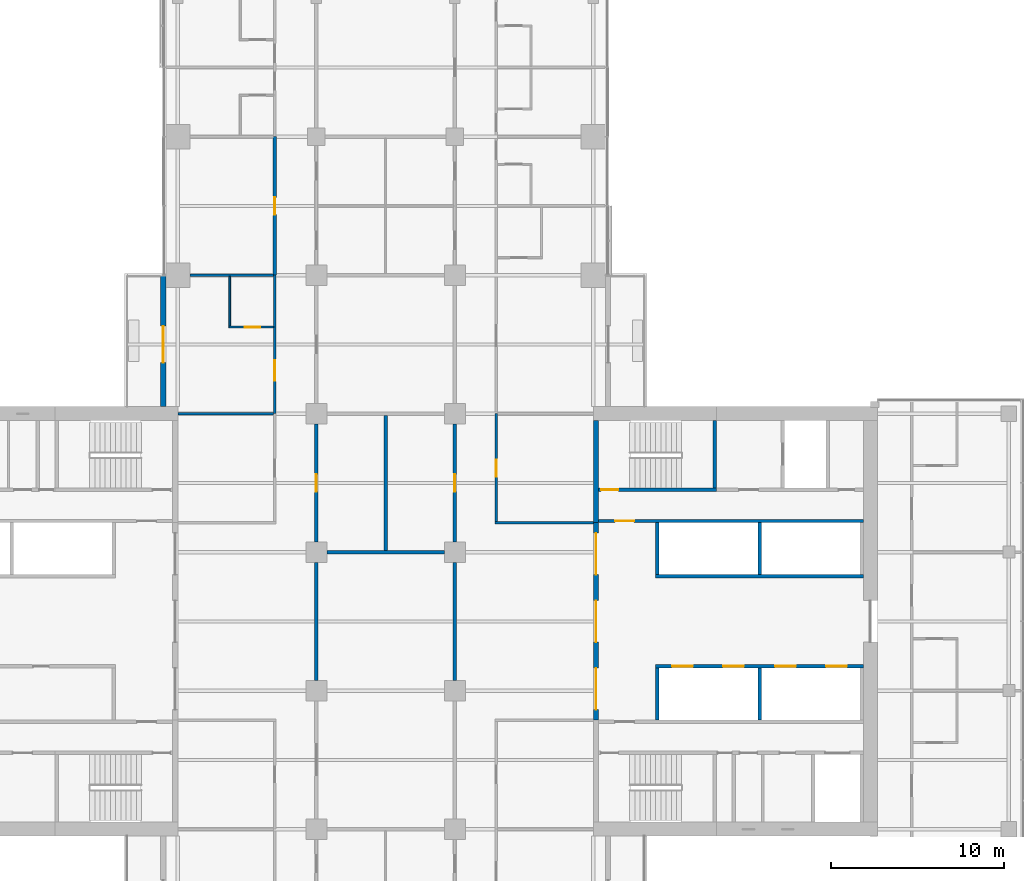
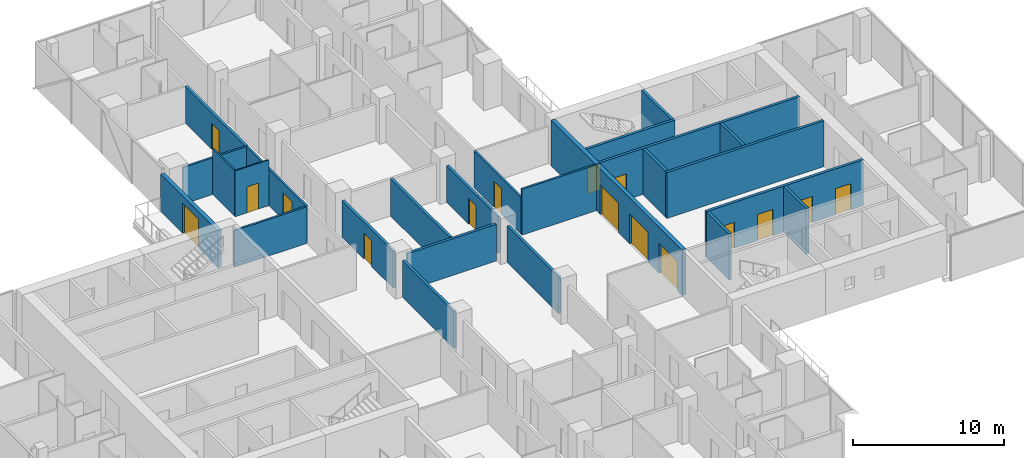
# One storey, part 19 of 27: 26 walls, 16 doors, 16 openings.
"""IFC4 building model written with IfcOpenShell, lengths in metres."""

import ifcopenshell
import ifcopenshell.guid

model = None  # the IFC model being written
_history = None  # IfcOwnerHistory: only IFC2X3 demands one
_inside = {}  # id of a spatial element -> (the spatial element, [elements in it])
_under = {}  # id of a project, library or spatial element -> (it, [spatial elements below it])
_declared = {}  # id of a project -> (the project, [libraries it declares])
_typed = {}  # id of a type object -> (the type object, [elements of that type])
_made_of = {}  # id of a material, layer set ... -> (it, [elements and type objects made of it])


def new_model(schema):
    """Start an empty IFC model of exactly this schema.

    Asked for "IFC4X3", IfcOpenShell would pick the latest addendum, in which some entities
    have other attributes; the version numbers below select the first issue.
    IFC2X3 requires an IfcOwnerHistory on every rooted entity: one is made here for all.
    """
    global model, _history
    if schema == "IFC4X3":
        model = ifcopenshell.file(schema_version=(4, 3, 0, 0))
    else:
        model = ifcopenshell.file(schema=schema)
    _inside.clear()
    _under.clear()
    _declared.clear()
    _typed.clear()
    _made_of.clear()
    _history = None
    if model.schema == "IFC2X3":
        org = make("IfcOrganization", Name="unknown")
        user = make(
            "IfcPersonAndOrganization",
            ThePerson=make("IfcPerson", FamilyName="unknown"),
            TheOrganization=org,
        )
        app = make(
            "IfcApplication",
            ApplicationDeveloper=org,
            Version="unknown",
            ApplicationFullName="unknown",
            ApplicationIdentifier="unknown",
        )
        _history = make(
            "IfcOwnerHistory",
            OwningUser=user,
            OwningApplication=app,
            ChangeAction="ADDED",
            CreationDate=0,
        )
    return model


def make(cls, **values):
    """One entity of the class cls with the attributes given. An attribute that is None is left unset."""
    return model.create_entity(
        cls, **{name: value for name, value in values.items() if value is not None}
    )


def rooted(cls, **values):
    """An entity with a GlobalId (a new one), such as an element, a storey or a relation."""
    return make(cls, GlobalId=ifcopenshell.guid.new(), OwnerHistory=_history, **values)


def si_unit(unit_type, name, prefix=None):
    """IfcSIUnit, for example si_unit("LENGTHUNIT", "METRE", prefix="MILLI")."""
    return make("IfcSIUnit", UnitType=unit_type, Prefix=prefix, Name=name)


def assignment(units):
    """IfcUnitAssignment: the units of a project."""
    return None if units is None else make("IfcUnitAssignment", Units=units)


def point(xyz):
    """IfcCartesianPoint."""
    return None if xyz is None else make("IfcCartesianPoint", Coordinates=xyz)


def direction(xyz):
    """IfcDirection."""
    return None if xyz is None else make("IfcDirection", DirectionRatios=xyz)


def frame(location, z_axis=None, x_axis=None):
    """IfcAxis2Placement3D, a coordinate frame: its origin and axes. An axis left out is left unset."""
    return make(
        "IfcAxis2Placement3D",
        Location=point(location),
        Axis=direction(z_axis),
        RefDirection=direction(x_axis),
    )


def frame_2d(location, x_axis=None):
    """IfcAxis2Placement2D, a coordinate frame in the plane: its origin and x axis."""
    return make(
        "IfcAxis2Placement2D", Location=point(location), RefDirection=direction(x_axis)
    )


def origin():
    """The frame at (0, 0, 0) with its axes left unset."""
    return frame((0.0, 0.0, 0.0))


def place(relative_to, where):
    """IfcLocalPlacement: puts the frame where relative to a parent placement (None: the world)."""
    return make(
        "IfcLocalPlacement", PlacementRelTo=relative_to, RelativePlacement=where
    )


def context(
    kind, dimensions, precision=None, world=None, true_north=None, identifier=None
):
    """IfcGeometricRepresentationContext, for example the 3D "Model" context."""
    return make(
        "IfcGeometricRepresentationContext",
        ContextIdentifier=identifier,
        ContextType=kind,
        CoordinateSpaceDimension=dimensions,
        Precision=precision,
        WorldCoordinateSystem=world,
        TrueNorth=true_north,
    )


def subcontext(parent, identifier, kind, view, scale=None):
    """IfcGeometricRepresentationSubContext, for example "Body" below "Model"."""
    return make(
        "IfcGeometricRepresentationSubContext",
        ContextIdentifier=identifier,
        ContextType=kind,
        ParentContext=parent,
        TargetScale=scale,
        TargetView=view,
    )


def project(units=None, contexts=None):
    """IfcProject with its units and contexts."""
    return rooted(
        "IfcProject",
        Name="project",
        RepresentationContexts=contexts,
        UnitsInContext=assignment(units),
    )


def spatial(cls, under=None, at=None, **own):
    """A site, building, storey or space (cls), placed at a placement, below another one or the project."""
    s = rooted(cls, ObjectPlacement=at, **own)
    if under is not None:
        _under.setdefault(under.id(), (under, []))[1].append(s)
    return s


def profile(cls, at=None, kind="AREA", **sizes):
    """A parametric profile (cls). Its sizes go by their IFC names, for example OverallWidth=200.0."""
    return make(cls, ProfileType=kind, Position=at, **sizes)


def rectangle(**sizes):
    """IfcRectangleProfileDef."""
    return profile("IfcRectangleProfileDef", **sizes)


def extrude(swept, where, along, depth):
    """IfcExtrudedAreaSolid: the profile swept, set in the frame where, extruded along a direction by depth."""
    return make(
        "IfcExtrudedAreaSolid",
        SweptArea=swept,
        Position=where,
        ExtrudedDirection=direction(along),
        Depth=depth,
    )


def shape(context_of_items, identifier, shape_type, items):
    """IfcShapeRepresentation: the items that make up one representation, for example the "Body"."""
    return make(
        "IfcShapeRepresentation",
        ContextOfItems=context_of_items,
        RepresentationIdentifier=identifier,
        RepresentationType=shape_type,
        Items=items,
    )


def material(Name=None, Category=None):
    """IfcMaterial."""
    return make("IfcMaterial", Name=Name, Category=Category)


def layer(
    of_material, thickness, ventilated=None, Name=None, Category=None, Priority=None
):
    """IfcMaterialLayer: one layer of a wall or slab, of a material (None: an air gap)."""
    return make(
        "IfcMaterialLayer",
        Material=of_material,
        LayerThickness=thickness,
        IsVentilated=ventilated,
        Name=Name,
        Category=Category,
        Priority=Priority,
    )


def layer_set(layers, Name=None):
    """IfcMaterialLayerSet."""
    return make("IfcMaterialLayerSet", MaterialLayers=layers, LayerSetName=Name)


def made_of(thing, what):
    """Note that an element or type object is made of a material, layer set ...; save() writes the relation."""
    if what is not None:
        _made_of.setdefault(what.id(), (what, []))[1].append(thing)
    return thing


def type_object(cls, material=None, **own):
    """A type object (cls), such as IfcWallType, which elements share."""
    return made_of(rooted(cls, **own), material)


def element(
    cls,
    number,
    at=None,
    inside=None,
    cuts=None,
    type_object=None,
    material=None,
    context=None,
    identifier="Body",
    shape_type=None,
    held_by="IfcProductDefinitionShape",
    body=None,
    shapes=None,
    **own,
):
    """One element of the class cls, such as IfcWall. Its Tag is "e" and its number.

    at: its placement. inside: the storey or other place that contains it. cuts: it is an
    opening in that element (IfcRelVoidsElement). A single representation is given by context,
    identifier, shape_type and body (its items); several are given by shapes. held_by: the class
    of the entity that holds the representations. save() writes the other relations.
    """
    e = rooted(cls, Tag="e%d" % number, ObjectPlacement=at, **own)
    if body is not None:
        shapes = [shape(context, identifier, shape_type, body)]
    if shapes is not None:
        e.Representation = make(held_by, Representations=shapes)
    if inside is not None:
        _inside.setdefault(inside.id(), (inside, []))[1].append(e)
    if cuts is not None:
        rooted(
            "IfcRelVoidsElement", RelatingBuildingElement=cuts, RelatedOpeningElement=e
        )
    if type_object is not None:
        _typed.setdefault(type_object.id(), (type_object, []))[1].append(e)
    return made_of(e, material)


def fill(opening, filler):
    """IfcRelFillsElement: the door or window that sits in an opening."""
    return rooted(
        "IfcRelFillsElement",
        RelatingOpeningElement=opening,
        RelatedBuildingElement=filler,
    )


def aggregate(whole, parts):
    """IfcRelAggregates: a whole, such as a stair, and the parts it consists of."""
    return rooted("IfcRelAggregates", RelatingObject=whole, RelatedObjects=parts)


def save(model, path):
    """Write the relations noted so far, then the file.

    IfcRelAggregates (storeys below a building ...), IfcRelContainedInSpatialStructure (elements
    in a storey), IfcRelDefinesByType, IfcRelAssociatesMaterial and IfcRelDeclares: one each for
    every whole, place, type object, material and project.
    """
    for whole, parts in _under.values():
        aggregate(whole, parts)
    for where, things in _inside.values():
        rooted(
            "IfcRelContainedInSpatialStructure",
            RelatedElements=things,
            RelatingStructure=where,
        )
    for kind, things in _typed.values():
        rooted("IfcRelDefinesByType", RelatedObjects=things, RelatingType=kind)
    for what, things in _made_of.values():
        rooted("IfcRelAssociatesMaterial", RelatedObjects=things, RelatingMaterial=what)
    for by, libraries in _declared.values():
        rooted("IfcRelDeclares", RelatingContext=by, RelatedDefinitions=libraries)
    model.write(path)


model = new_model("IFC4")

# Units and contexts
model_context = context("Model", 3, precision=1e-05, world=origin(), true_north=direction((0.0, 1.0)))
body_context = subcontext(model_context, "Body", "Model", "MODEL_VIEW")
ifc_project = project(units=[si_unit("LENGTHUNIT", "METRE"), si_unit("AREAUNIT", "SQUARE_METRE"), si_unit("VOLUMEUNIT", "CUBIC_METRE"), si_unit("PLANEANGLEUNIT", "RADIAN"), si_unit("MASSUNIT", "GRAM", prefix="KILO")], contexts=[model_context])

# Site, building, storey
site_placement = place(None, origin())
site = spatial("IfcSite", under=ifc_project, at=site_placement, CompositionType="ELEMENT")
building_placement = place(site_placement, origin())
building = spatial("IfcBuilding", under=site, at=building_placement, Name="Crosswind Convention Tower", CompositionType="ELEMENT")
storey_placement = place(building_placement, frame((0.0, 0.0, 75.699951171875)))
storey = spatial("IfcBuildingStorey", under=building, at=storey_placement, Name="L13", CompositionType="ELEMENT", Elevation=75.699951171875)

# Wall
ifc_material_1 = material(Name="Plasterboard partition", Category="gypsum")
ifc_layer_1 = layer(ifc_material_1, 0.14990234375)
ifc_layer_set_1 = layer_set([ifc_layer_1], Name="CORRIDOR WALL 150")
wall_type_1 = type_object("IfcWallType", Name="CORRIDOR WALL 150", PredefinedType="PARTITIONING", material=ifc_layer_set_1)
wall_1_placement = place(storey_placement, frame((131.324951171875, 105.699951171875, 0.0), z_axis=(0.0, 0.0, 1.0), x_axis=(1.0, 0.0, 0.0)))
element("IfcWall", 1, at=wall_1_placement, inside=storey, type_object=wall_type_1, Name="Corridor Wall 40", PredefinedType="PARTITIONING", context=body_context, shape_type="SweptSolid", body=[
    extrude(rectangle(XDim=5.675048828125, YDim=0.14990234375, at=frame_2d((2.83740234375, 0.0))), origin(), (0.0, 0.0, 1.0), 3.699951171875),
])

# Wall, opening, door
wall_2_placement = place(storey_placement, frame((131.39990234375, 105.77490234375, 0.0), z_axis=(0.0, 0.0, 1.0), x_axis=(0.0, 1.0, 0.0)))
wall_2 = element("IfcWall", 2, at=wall_2_placement, inside=storey, type_object=wall_type_1, Name="Corridor Wall 111", PredefinedType="PARTITIONING", context=body_context, shape_type="SweptSolid", body=[
    extrude(rectangle(XDim=6.22509765625, YDim=0.14990234375, at=frame_2d((3.112548828125, 0.0))), origin(), (0.0, 0.0, 1.0), 2.95654296875),
])
opening_1_placement = place(wall_2_placement, frame((2.574951171875, 0.0, 0.0)))
opening_1 = element("IfcOpeningElement", 3, at=opening_1_placement, cuts=wall_2, Name="Opening 13.001", PredefinedType="OPENING", context=body_context, shape_type="SweptSolid", body=[
    extrude(rectangle(XDim=1.0, YDim=2.10009765625, at=frame_2d((0.5, 1.050048828125))), frame((0.0, 0.0849609375, 0.0), z_axis=(0.0, -1.0, 0.0), x_axis=(1.0, 0.0, 0.0)), (0.0, 0.0, 1.0), 0.169921875),
])
ifc_material_2 = material(Name="Timber fire door", Category="wood")
door_type_1 = type_object("IfcDoorType", Name="SERVICE ROOM DOOR 1000X2100", OperationType="NOTDEFINED", PredefinedType="DOOR", material=ifc_material_2)
door_1_placement = place(opening_1_placement, frame((1.0, 0.0, 0.0), z_axis=(0.0, 0.0, 1.0), x_axis=(-1.0, 0.0, 0.0)))
door_1 = element("IfcDoor", 4, at=door_1_placement, inside=storey, type_object=door_type_1, Name="Door 13.001", ObjectType="D3", OperationType="SINGLE_SWING_LEFT", OverallHeight=2.10009765625, OverallWidth=1.0, PredefinedType="DOOR", context=body_context, shape_type="SweptSolid", body=[
    extrude(rectangle(XDim=1.0, YDim=2.10009765625, at=frame_2d((0.5, 1.050048828125))), frame((0.0, 0.02490234375, 0.0), z_axis=(0.0, -1.0, 0.0), x_axis=(1.0, 0.0, 0.0)), (0.0, 0.0, 1.0), 0.050048828125),
])
fill(opening_1, door_1)

# Wall, openings, doors
ifc_material_3 = material(Name="Concrete C50/60", Category="concrete")
ifc_layer_2 = layer(ifc_material_3, 0.300048828125)
ifc_layer_set_2 = layer_set([ifc_layer_2], Name="Concrete C50/60")
wall_type_2 = type_object("IfcWallType", Name="Concrete inner core wall 300", PredefinedType="SHEAR", material=ifc_layer_set_2)
wall_3_placement = place(storey_placement, frame((137.14990234375, 94.300048828125, 0.0), z_axis=(0.0, 0.0, 1.0), x_axis=(0.0, 1.0, 0.0)))
wall_3 = element("IfcWall", 5, at=wall_3_placement, inside=storey, type_object=wall_type_2, Name="Wall SCR E L13", PredefinedType="SHEAR", context=body_context, shape_type="SweptSolid", body=[
    extrude(rectangle(XDim=11.39990234375, YDim=0.300048828125, at=frame_2d((5.699951171875, 0.0))), origin(), (0.0, 0.0, 1.0), 3.699951171875),
])
opening_2_placement = place(wall_3_placement, frame((0.60009765625, 0.0, 0.0)))
opening_2 = element("IfcOpeningElement", 6, at=opening_2_placement, cuts=wall_3, Name="Opening D100", PredefinedType="OPENING", context=body_context, shape_type="SweptSolid", body=[
    extrude(rectangle(XDim=2.39990234375, YDim=2.39990234375, at=frame_2d((1.199951171875, 1.199951171875))), frame((0.0, 0.159912109375, 0.0), z_axis=(0.0, -1.0, 0.0), x_axis=(1.0, 0.0, 0.0)), (0.0, 0.0, 1.0), 0.320068359375),
])
opening_3_placement = place(wall_3_placement, frame((4.5, 0.0, 0.0)))
opening_3 = element("IfcOpeningElement", 7, at=opening_3_placement, cuts=wall_3, Name="Opening D100", PredefinedType="OPENING", context=body_context, shape_type="SweptSolid", body=[
    extrude(rectangle(XDim=2.39990234375, YDim=2.39990234375, at=frame_2d((1.199951171875, 1.199951171875))), frame((0.0, 0.159912109375, 0.0), z_axis=(0.0, -1.0, 0.0), x_axis=(1.0, 0.0, 0.0)), (0.0, 0.0, 1.0), 0.320068359375),
])
opening_4_placement = place(wall_3_placement, frame((8.39990234375, 0.0, 0.0)))
opening_4 = element("IfcOpeningElement", 8, at=opening_4_placement, cuts=wall_3, Name="Opening D100", PredefinedType="OPENING", context=body_context, shape_type="SweptSolid", body=[
    extrude(rectangle(XDim=2.39990234375, YDim=2.39990234375, at=frame_2d((1.199951171875, 1.199951171875))), frame((0.0, 0.159912109375, 0.0), z_axis=(0.0, -1.0, 0.0), x_axis=(1.0, 0.0, 0.0)), (0.0, 0.0, 1.0), 0.320068359375),
])
ifc_material_4 = material(Name="Steel fire door with glazed vision panels", Category="steel")
door_type_2 = type_object("IfcDoorType", Name="Fire-rated double door 2400x2400", OperationType="DOUBLE_DOOR_SINGLE_SWING", PredefinedType="DOOR", material=ifc_material_4)
door_2_placement = place(opening_2_placement, origin())
door_2 = element("IfcDoor", 9, at=door_2_placement, inside=storey, type_object=door_type_2, Name="Lobby door 1 L13", ObjectType="D100", OperationType="DOUBLE_DOOR_SINGLE_SWING", OverallHeight=2.39990234375, OverallWidth=2.39990234375, PredefinedType="DOOR", context=body_context, shape_type="SweptSolid", body=[
    extrude(rectangle(XDim=2.39990234375, YDim=2.39990234375, at=frame_2d((1.199951171875, 1.199951171875))), frame((0.0, 0.02490234375, 0.0), z_axis=(0.0, -1.0, 0.0), x_axis=(1.0, 0.0, 0.0)), (0.0, 0.0, 1.0), 0.050048828125),
])
fill(opening_2, door_2)
door_3_placement = place(opening_3_placement, origin())
door_3 = element("IfcDoor", 10, at=door_3_placement, inside=storey, type_object=door_type_2, Name="Lobby door 2 L13", ObjectType="D100", OperationType="DOUBLE_DOOR_SINGLE_SWING", OverallHeight=2.39990234375, OverallWidth=2.39990234375, PredefinedType="DOOR", context=body_context, shape_type="SweptSolid", body=[
    extrude(rectangle(XDim=2.39990234375, YDim=2.39990234375, at=frame_2d((1.199951171875, 1.199951171875))), frame((0.0, 0.02490234375, 0.0), z_axis=(0.0, -1.0, 0.0), x_axis=(1.0, 0.0, 0.0)), (0.0, 0.0, 1.0), 0.050048828125),
])
fill(opening_3, door_3)
door_4_placement = place(opening_4_placement, origin())
door_4 = element("IfcDoor", 11, at=door_4_placement, inside=storey, type_object=door_type_2, Name="Lobby door 3 L13", ObjectType="D100", OperationType="DOUBLE_DOOR_SINGLE_SWING", OverallHeight=2.39990234375, OverallWidth=2.39990234375, PredefinedType="DOOR", context=body_context, shape_type="SweptSolid", body=[
    extrude(rectangle(XDim=2.39990234375, YDim=2.39990234375, at=frame_2d((1.199951171875, 1.199951171875))), frame((0.0, 0.02490234375, 0.0), z_axis=(0.0, -1.0, 0.0), x_axis=(1.0, 0.0, 0.0)), (0.0, 0.0, 1.0), 0.050048828125),
])
fill(opening_4, door_4)

# Walls
wall_4_placement = place(storey_placement, frame((137.14990234375, 105.699951171875, 0.0), z_axis=(0.0, 0.0, 1.0), x_axis=(0.0, 1.0, 0.0)))
element("IfcWall", 12, at=wall_4_placement, inside=storey, type_object=wall_type_2, Name="Wall EP E L13", PredefinedType="SHEAR", context=body_context, shape_type="SweptSolid", body=[
    extrude(rectangle(XDim=5.900146484375, YDim=0.300048828125, at=frame_2d((2.9501953125, 0.0))), origin(), (0.0, 0.0, 1.0), 3.699951171875),
])
ifc_layer_3 = layer(ifc_material_3, 0.199951171875)
ifc_layer_set_3 = layer_set([ifc_layer_3], Name="Concrete C50/60")
wall_type_3 = type_object("IfcWallType", Name="Concrete shaft and stair wall 200", PredefinedType="SHEAR", material=ifc_layer_set_3)
for number, where, z_axis, x_axis, name in (
    (13, (140.699951171875, 102.699951171875, 0.0), (0.0, 0.0, 1.0), (0.0, 1.0, 0.0), "Wall RPEND E L13"),
    (14, (146.60009765625, 102.699951171875, 0.0), (0.0, 0.0, 1.0), (0.0, 1.0, 0.0), "Wall RPSEP E L13"),
):
    element("IfcWall", number, at=place(storey_placement, frame(where, z_axis=z_axis, x_axis=x_axis)), inside=storey, type_object=wall_type_3, Name=name, PredefinedType="SHEAR", context=body_context, shape_type="SweptSolid", body=[
        extrude(rectangle(XDim=3.0, YDim=0.199951171875, at=frame_2d((1.5, 0.0))), origin(), (0.0, 0.0, 1.0), 3.699951171875),
    ])
wall_5_placement = place(storey_placement, frame((140.60009765625, 102.60009765625, 0.0), z_axis=(0.0, 0.0, 1.0), x_axis=(1.0, 0.0, 0.0)))
element("IfcWall", 15, at=wall_5_placement, inside=storey, type_object=wall_type_3, Name="Wall RPFRONT E L13", PredefinedType="SHEAR", context=body_context, shape_type="SweptSolid", body=[
    extrude(rectangle(XDim=12.0, YDim=0.199951171875, at=frame_2d((6.0, 0.0))), origin(), (0.0, 0.0, 1.0), 3.699951171875),
])
for number, where, z_axis, x_axis, name in (
    (16, (140.699951171875, 94.300048828125, 0.0), (0.0, 0.0, 1.0), (0.0, 1.0, 0.0), "Wall RMEND E L13"),
    (17, (146.60009765625, 94.300048828125, 0.0), (0.0, 0.0, 1.0), (0.0, 1.0, 0.0), "Wall RMSEP E L13"),
):
    element("IfcWall", number, at=place(storey_placement, frame(where, z_axis=z_axis, x_axis=x_axis)), inside=storey, type_object=wall_type_3, Name=name, PredefinedType="SHEAR", context=body_context, shape_type="SweptSolid", body=[
        extrude(rectangle(XDim=3.0, YDim=0.199951171875, at=frame_2d((1.5, 0.0))), origin(), (0.0, 0.0, 1.0), 3.699951171875),
    ])

# Wall, openings, doors
wall_6_placement = place(storey_placement, frame((140.60009765625, 97.39990234375, 0.0), z_axis=(0.0, 0.0, 1.0), x_axis=(1.0, 0.0, 0.0)))
wall_6 = element("IfcWall", 18, at=wall_6_placement, inside=storey, type_object=wall_type_3, Name="Wall RMFRONT E L13", PredefinedType="SHEAR", context=body_context, shape_type="SweptSolid", body=[
    extrude(rectangle(XDim=12.0, YDim=0.199951171875, at=frame_2d((6.0, 0.0))), origin(), (0.0, 0.0, 1.0), 3.699951171875),
])
opening_5_placement = place(wall_6_placement, frame((0.949951171875, 0.0, 0.0)))
opening_5 = element("IfcOpeningElement", 19, at=opening_5_placement, cuts=wall_6, Name="Opening LD1", PredefinedType="OPENING", context=body_context, shape_type="SweptSolid", body=[
    extrude(rectangle(XDim=1.199951171875, YDim=2.10009765625, at=frame_2d((0.60009765625, 1.050048828125))), frame((0.0, 0.10986328125, 0.0), z_axis=(0.0, -1.0, 0.0), x_axis=(1.0, 0.0, 0.0)), (0.0, 0.0, 1.0), 0.219970703125),
])
opening_6_placement = place(wall_6_placement, frame((3.89990234375, 0.0, 0.0)))
opening_6 = element("IfcOpeningElement", 20, at=opening_6_placement, cuts=wall_6, Name="Opening LD1", PredefinedType="OPENING", context=body_context, shape_type="SweptSolid", body=[
    extrude(rectangle(XDim=1.199951171875, YDim=2.10009765625, at=frame_2d((0.60009765625, 1.050048828125))), frame((0.0, 0.10986328125, 0.0), z_axis=(0.0, -1.0, 0.0), x_axis=(1.0, 0.0, 0.0)), (0.0, 0.0, 1.0), 0.219970703125),
])
opening_7_placement = place(wall_6_placement, frame((6.89990234375, 0.0, 0.0)))
opening_7 = element("IfcOpeningElement", 21, at=opening_7_placement, cuts=wall_6, Name="Opening LD1", PredefinedType="OPENING", context=body_context, shape_type="SweptSolid", body=[
    extrude(rectangle(XDim=1.199951171875, YDim=2.10009765625, at=frame_2d((0.60009765625, 1.050048828125))), frame((0.0, 0.10986328125, 0.0), z_axis=(0.0, -1.0, 0.0), x_axis=(1.0, 0.0, 0.0)), (0.0, 0.0, 1.0), 0.219970703125),
])
opening_8_placement = place(wall_6_placement, frame((9.85009765625, 0.0, 0.0)))
opening_8 = element("IfcOpeningElement", 22, at=opening_8_placement, cuts=wall_6, Name="Opening LD1", PredefinedType="OPENING", context=body_context, shape_type="SweptSolid", body=[
    extrude(rectangle(XDim=1.199951171875, YDim=2.10009765625, at=frame_2d((0.60009765625, 1.050048828125))), frame((0.0, 0.10986328125, 0.0), z_axis=(0.0, -1.0, 0.0), x_axis=(1.0, 0.0, 0.0)), (0.0, 0.0, 1.0), 0.219970703125),
])
ifc_material_5 = material(Name="Stainless steel", Category="steel")
door_type_3 = type_object("IfcDoorType", Name="Lift landing door 1200x2100", OperationType="DOUBLE_DOOR_SLIDING", PredefinedType="DOOR", material=ifc_material_5)
door_5_placement = place(opening_5_placement, origin())
door_5 = element("IfcDoor", 23, at=door_5_placement, inside=storey, type_object=door_type_3, Name="Landing door H1 L13", ObjectType="LD1", OperationType="DOUBLE_DOOR_SLIDING", OverallHeight=2.10009765625, OverallWidth=1.199951171875, PredefinedType="DOOR", context=body_context, shape_type="SweptSolid", body=[
    extrude(rectangle(XDim=1.199951171875, YDim=2.10009765625, at=frame_2d((0.60009765625, 1.050048828125))), frame((0.0, 0.02490234375, 0.0), z_axis=(0.0, -1.0, 0.0), x_axis=(1.0, 0.0, 0.0)), (0.0, 0.0, 1.0), 0.050048828125),
])
fill(opening_5, door_5)
door_6_placement = place(opening_6_placement, origin())
door_6 = element("IfcDoor", 24, at=door_6_placement, inside=storey, type_object=door_type_3, Name="Landing door H2 L13", ObjectType="LD1", OperationType="DOUBLE_DOOR_SLIDING", OverallHeight=2.10009765625, OverallWidth=1.199951171875, PredefinedType="DOOR", context=body_context, shape_type="SweptSolid", body=[
    extrude(rectangle(XDim=1.199951171875, YDim=2.10009765625, at=frame_2d((0.60009765625, 1.050048828125))), frame((0.0, 0.02490234375, 0.0), z_axis=(0.0, -1.0, 0.0), x_axis=(1.0, 0.0, 0.0)), (0.0, 0.0, 1.0), 0.050048828125),
])
fill(opening_6, door_6)
door_7_placement = place(opening_7_placement, origin())
door_7 = element("IfcDoor", 25, at=door_7_placement, inside=storey, type_object=door_type_3, Name="Landing door H3 L13", ObjectType="LD1", OperationType="DOUBLE_DOOR_SLIDING", OverallHeight=2.10009765625, OverallWidth=1.199951171875, PredefinedType="DOOR", context=body_context, shape_type="SweptSolid", body=[
    extrude(rectangle(XDim=1.199951171875, YDim=2.10009765625, at=frame_2d((0.60009765625, 1.050048828125))), frame((0.0, 0.02490234375, 0.0), z_axis=(0.0, -1.0, 0.0), x_axis=(1.0, 0.0, 0.0)), (0.0, 0.0, 1.0), 0.050048828125),
])
fill(opening_7, door_7)
door_8_placement = place(opening_8_placement, origin())
door_8 = element("IfcDoor", 26, at=door_8_placement, inside=storey, type_object=door_type_3, Name="Landing door H4 L13", ObjectType="LD1", OperationType="DOUBLE_DOOR_SLIDING", OverallHeight=2.10009765625, OverallWidth=1.199951171875, PredefinedType="DOOR", context=body_context, shape_type="SweptSolid", body=[
    extrude(rectangle(XDim=1.199951171875, YDim=2.10009765625, at=frame_2d((0.60009765625, 1.050048828125))), frame((0.0, 0.02490234375, 0.0), z_axis=(0.0, -1.0, 0.0), x_axis=(1.0, 0.0, 0.0)), (0.0, 0.0, 1.0), 0.050048828125),
])
fill(opening_8, door_8)

# Wall, opening, door
wall_7_placement = place(storey_placement, frame((137.300048828125, 105.800048828125, 0.0), z_axis=(0.0, 0.0, 1.0), x_axis=(1.0, 0.0, 0.0)))
wall_7 = element("IfcWall", 27, at=wall_7_placement, inside=storey, type_object=wall_type_3, Name="Wall HP E L13", PredefinedType="SHEAR", context=body_context, shape_type="SweptSolid", body=[
    extrude(rectangle(XDim=15.300048828125, YDim=0.199951171875, at=frame_2d((7.64990234375, 0.0))), origin(), (0.0, 0.0, 1.0), 3.699951171875),
])
opening_9_placement = place(wall_7_placement, frame((0.949951171875, 0.0, 0.0)))
opening_9 = element("IfcOpeningElement", 28, at=opening_9_placement, cuts=wall_7, Name="Opening D104", PredefinedType="OPENING", context=body_context, shape_type="SweptSolid", body=[
    extrude(rectangle(XDim=1.10009765625, YDim=2.10009765625, at=frame_2d((0.550048828125, 1.050048828125))), frame((0.0, 0.10986328125, 0.0), z_axis=(0.0, -1.0, 0.0), x_axis=(1.0, 0.0, 0.0)), (0.0, 0.0, 1.0), 0.219970703125),
])
ifc_material_6 = material(Name="Steel fire door", Category="steel")
door_type_4 = type_object("IfcDoorType", Name="Fire-rated single door 1100x2100", OperationType="NOTDEFINED", PredefinedType="DOOR", material=ifc_material_6)
door_9_placement = place(opening_9_placement, origin())
door_9 = element("IfcDoor", 29, at=door_9_placement, inside=storey, type_object=door_type_4, Name="Corridor door L13", ObjectType="D104", OperationType="SINGLE_SWING_LEFT", OverallHeight=2.10009765625, OverallWidth=1.10009765625, PredefinedType="DOOR", context=body_context, shape_type="SweptSolid", body=[
    extrude(rectangle(XDim=1.10009765625, YDim=2.10009765625, at=frame_2d((0.550048828125, 1.050048828125))), frame((0.0, 0.02490234375, 0.0), z_axis=(0.0, -1.0, 0.0), x_axis=(1.0, 0.0, 0.0)), (0.0, 0.0, 1.0), 0.050048828125),
])
fill(opening_9, door_9)

# Wall
wall_8_placement = place(storey_placement, frame((144.0, 107.699951171875, 0.0), z_axis=(0.0, 0.0, 1.0), x_axis=(0.0, 1.0, 0.0)))
element("IfcWall", 30, at=wall_8_placement, inside=storey, type_object=wall_type_3, Name="Wall PSE E L13", PredefinedType="SHEAR", context=body_context, shape_type="SweptSolid", body=[
    extrude(rectangle(XDim=3.900146484375, YDim=0.199951171875, at=frame_2d((1.9501953125, 0.0))), origin(), (0.0, 0.0, 1.0), 3.699951171875),
])

# Wall, opening, door
wall_9_placement = place(storey_placement, frame((137.300048828125, 107.60009765625, 0.0), z_axis=(0.0, 0.0, 1.0), x_axis=(1.0, 0.0, 0.0)))
wall_9 = element("IfcWall", 31, at=wall_9_placement, inside=storey, type_object=wall_type_3, Name="Wall PCW E L13", PredefinedType="SHEAR", context=body_context, shape_type="SweptSolid", body=[
    extrude(rectangle(XDim=6.800048828125, YDim=0.199951171875, at=frame_2d((3.39990234375, 0.0))), origin(), (0.0, 0.0, 1.0), 3.699951171875),
])
opening_10_placement = place(wall_9_placement, frame((0.14990234375, 0.0, 0.0)))
opening_10 = element("IfcOpeningElement", 32, at=opening_10_placement, cuts=wall_9, Name="Opening D103", PredefinedType="OPENING", context=body_context, shape_type="SweptSolid", body=[
    extrude(rectangle(XDim=1.0, YDim=2.10009765625, at=frame_2d((0.5, 1.050048828125))), frame((0.0, 0.10986328125, 0.0), z_axis=(0.0, -1.0, 0.0), x_axis=(1.0, 0.0, 0.0)), (0.0, 0.0, 1.0), 0.219970703125),
])
door_type_5 = type_object("IfcDoorType", Name="Fire-rated single door 1000x2100", OperationType="NOTDEFINED", PredefinedType="DOOR", material=ifc_material_6)
door_10_placement = place(opening_10_placement, origin())
door_10 = element("IfcDoor", 33, at=door_10_placement, inside=storey, type_object=door_type_5, Name="Stair ST1 door L13", ObjectType="D103", OperationType="SINGLE_SWING_LEFT", OverallHeight=2.10009765625, OverallWidth=1.0, PredefinedType="DOOR", context=body_context, shape_type="SweptSolid", body=[
    extrude(rectangle(XDim=1.0, YDim=2.10009765625, at=frame_2d((0.5, 1.050048828125))), frame((0.0, 0.02490234375, 0.0), z_axis=(0.0, -1.0, 0.0), x_axis=(1.0, 0.0, 0.0)), (0.0, 0.0, 1.0), 0.050048828125),
])
fill(opening_10, door_10)

# Walls
ifc_material_7 = material(Name="Acoustic plasterboard partition", Category="gypsum")
ifc_layer_4 = layer(ifc_material_7, 0.14990234375)
ifc_layer_set_4 = layer_set([ifc_layer_4], Name="GUEST ROOM WALL 150")
wall_type_4 = type_object("IfcWallType", Name="GUEST ROOM WALL 150", PredefinedType="PARTITIONING", material=ifc_layer_set_4)
wall_10_placement = place(storey_placement, frame((113.0, 112.0, 0.0), z_axis=(0.0, 0.0, 1.0), x_axis=(1.0, 0.0, 0.0)))
element("IfcWall", 34, at=wall_10_placement, inside=storey, type_object=wall_type_4, Name="Guest Room Wall 42", PredefinedType="PARTITIONING", context=body_context, shape_type="SweptSolid", body=[
    extrude(rectangle(XDim=5.52490234375, YDim=0.14990234375, at=frame_2d((2.762451171875, 0.0))), origin(), (0.0, 0.0, 1.0), 2.95654296875),
])
wall_11_placement = place(storey_placement, frame((113.699951171875, 120.0, 0.0), z_axis=(0.0, 0.0, 1.0), x_axis=(1.0, 0.0, 0.0)))
element("IfcWall", 35, at=wall_11_placement, inside=storey, type_object=wall_type_4, Name="Guest Room Wall 46", PredefinedType="PARTITIONING", context=body_context, shape_type="SweptSolid", body=[
    extrude(rectangle(XDim=4.824951171875, YDim=0.14990234375, at=frame_2d((2.41259765625, 0.0))), origin(), (0.0, 0.0, 1.0), 2.9599609375),
])

# Wall, opening, door
wall_12_placement = place(storey_placement, frame((118.60009765625, 112.0, 0.0), z_axis=(0.0, 0.0, 1.0), x_axis=(0.0, 1.0, 0.0)))
wall_12 = element("IfcWall", 36, at=wall_12_placement, inside=storey, type_object=wall_type_4, Name="Guest Room Wall 76", PredefinedType="PARTITIONING", context=body_context, shape_type="SweptSolid", body=[
    extrude(rectangle(XDim=8.0, YDim=0.14990234375, at=frame_2d((4.0, 0.0))), origin(), (0.0, 0.0, 1.0), 2.95654296875),
])
opening_11_placement = place(wall_12_placement, frame((1.89990234375, 0.0, 0.0)))
opening_11 = element("IfcOpeningElement", 37, at=opening_11_placement, cuts=wall_12, Name="Opening 13.013", PredefinedType="OPENING", context=body_context, shape_type="SweptSolid", body=[
    extrude(rectangle(XDim=1.199951171875, YDim=2.199951171875, at=frame_2d((0.60009765625, 1.10009765625))), frame((0.0, 0.0849609375, 0.0), z_axis=(0.0, -1.0, 0.0), x_axis=(1.0, 0.0, 0.0)), (0.0, 0.0, 1.0), 0.169921875),
])
door_type_6 = type_object("IfcDoorType", Name="SUITE DOOR 1200X2200", OperationType="DOUBLE_DOOR_SINGLE_SWING", PredefinedType="DOOR", material=ifc_material_2)
door_11_placement = place(opening_11_placement, origin())
door_11 = element("IfcDoor", 38, at=door_11_placement, inside=storey, type_object=door_type_6, Name="Door 13.013", ObjectType="D14", OperationType="DOUBLE_DOOR_SINGLE_SWING", OverallHeight=2.199951171875, OverallWidth=1.199951171875, PredefinedType="DOOR", context=body_context, shape_type="SweptSolid", body=[
    extrude(rectangle(XDim=1.199951171875, YDim=2.199951171875, at=frame_2d((0.60009765625, 1.10009765625))), frame((0.0, 0.02490234375, 0.0), z_axis=(0.0, -1.0, 0.0), x_axis=(1.0, 0.0, 0.0)), (0.0, 0.0, 1.0), 0.050048828125),
])
fill(opening_11, door_11)

# Wall
ifc_material_8 = material(Name="Double plasterboard partition", Category="gypsum")
ifc_layer_5 = layer(ifc_material_8, 0.199951171875)
ifc_layer_set_5 = layer_set([ifc_layer_5], Name="HALL WALL 200")
wall_type_5 = type_object("IfcWallType", Name="HALL WALL 200", PredefinedType="PARTITIONING", material=ifc_layer_set_5)
wall_13_placement = place(storey_placement, frame((121.60009765625, 104.0, 0.0), z_axis=(0.0, 0.0, 1.0), x_axis=(1.0, 0.0, 0.0)))
element("IfcWall", 39, at=wall_13_placement, inside=storey, type_object=wall_type_5, Name="Hall Wall 36", PredefinedType="PARTITIONING", context=body_context, shape_type="SweptSolid", body=[
    extrude(rectangle(XDim=6.7998046875, YDim=0.199951171875, at=frame_2d((3.39990234375, 0.0))), origin(), (0.0, 0.0, 1.0), 2.9599609375),
])

# Wall, opening, door
wall_14_placement = place(storey_placement, frame((118.60009765625, 120.0, 0.0), z_axis=(0.0, 0.0, 1.0), x_axis=(0.0, 1.0, 0.0)))
wall_14 = element("IfcWall", 40, at=wall_14_placement, inside=storey, type_object=wall_type_5, Name="Hall Wall 77", PredefinedType="PARTITIONING", context=body_context, shape_type="SweptSolid", body=[
    extrude(rectangle(XDim=8.0, YDim=0.199951171875, at=frame_2d((4.0, 0.0))), origin(), (0.0, 0.0, 1.0), 2.9599609375),
])
opening_12_placement = place(wall_14_placement, frame((3.5, 0.0, 0.0)))
opening_12 = element("IfcOpeningElement", 41, at=opening_12_placement, cuts=wall_14, Name="Opening 13.015", PredefinedType="OPENING", context=body_context, shape_type="SweptSolid", body=[
    extrude(rectangle(XDim=1.0, YDim=2.10009765625, at=frame_2d((0.5, 1.050048828125))), frame((0.0, 0.10986328125, 0.0), z_axis=(0.0, -1.0, 0.0), x_axis=(1.0, 0.0, 0.0)), (0.0, 0.0, 1.0), 0.219970703125),
])
door_type_7 = type_object("IfcDoorType", Name="MEETING ROOM DOOR 1000X2100", OperationType="NOTDEFINED", PredefinedType="DOOR", material=ifc_material_2)
door_12_placement = place(opening_12_placement, frame((1.0, 0.0, 0.0), z_axis=(0.0, 0.0, 1.0), x_axis=(-1.0, 0.0, 0.0)))
door_12 = element("IfcDoor", 42, at=door_12_placement, inside=storey, type_object=door_type_7, Name="Door 13.015", ObjectType="D13", OperationType="SINGLE_SWING_LEFT", OverallHeight=2.10009765625, OverallWidth=1.0, PredefinedType="DOOR", context=body_context, shape_type="SweptSolid", body=[
    extrude(rectangle(XDim=1.0, YDim=2.10009765625, at=frame_2d((0.5, 1.050048828125))), frame((0.0, 0.02490234375, 0.0), z_axis=(0.0, -1.0, 0.0), x_axis=(1.0, 0.0, 0.0)), (0.0, 0.0, 1.0), 0.050048828125),
])
fill(opening_12, door_12)

# Wall
wall_15_placement = place(storey_placement, frame((121.0, 96.60009765625, 0.0), z_axis=(0.0, 0.0, 1.0), x_axis=(0.0, 1.0, 0.0)))
element("IfcWall", 43, at=wall_15_placement, inside=storey, type_object=wall_type_5, Name="Hall Wall 84", PredefinedType="PARTITIONING", context=body_context, shape_type="SweptSolid", body=[
    extrude(rectangle(XDim=6.7998046875, YDim=0.199951171875, at=frame_2d((3.39990234375, 0.0))), origin(), (0.0, 0.0, 1.0), 2.9599609375),
])

# Wall, opening, door
wall_16_placement = place(storey_placement, frame((121.0, 104.60009765625, 0.0), z_axis=(0.0, 0.0, 1.0), x_axis=(0.0, 1.0, 0.0)))
wall_16 = element("IfcWall", 44, at=wall_16_placement, inside=storey, type_object=wall_type_5, Name="Hall Wall 85", PredefinedType="PARTITIONING", context=body_context, shape_type="SweptSolid", body=[
    extrude(rectangle(XDim=6.7998046875, YDim=0.199951171875, at=frame_2d((3.39990234375, 0.0))), origin(), (0.0, 0.0, 1.0), 2.9599609375),
])
opening_13_placement = place(wall_16_placement, frame((2.89990234375, 0.0, 0.0)))
opening_13 = element("IfcOpeningElement", 45, at=opening_13_placement, cuts=wall_16, Name="Opening 13.056", PredefinedType="OPENING", context=body_context, shape_type="SweptSolid", body=[
    extrude(rectangle(XDim=1.0, YDim=2.10009765625, at=frame_2d((0.5, 1.050048828125))), frame((0.0, 0.10986328125, 0.0), z_axis=(0.0, -1.0, 0.0), x_axis=(1.0, 0.0, 0.0)), (0.0, 0.0, 1.0), 0.219970703125),
])
door_13_placement = place(opening_13_placement, frame((1.0, 0.0, 0.0), z_axis=(0.0, 0.0, 1.0), x_axis=(-1.0, 0.0, 0.0)))
door_13 = element("IfcDoor", 46, at=door_13_placement, inside=storey, type_object=door_type_7, Name="Door 13.056", ObjectType="D13", OperationType="SINGLE_SWING_LEFT", OverallHeight=2.10009765625, OverallWidth=1.0, PredefinedType="DOOR", context=body_context, shape_type="SweptSolid", body=[
    extrude(rectangle(XDim=1.0, YDim=2.10009765625, at=frame_2d((0.5, 1.050048828125))), frame((0.0, 0.02490234375, 0.0), z_axis=(0.0, -1.0, 0.0), x_axis=(1.0, 0.0, 0.0)), (0.0, 0.0, 1.0), 0.050048828125),
])
fill(opening_13, door_13)

# Walls
wall_17_placement = place(storey_placement, frame((125.0, 104.10009765625, 0.0), z_axis=(0.0, 0.0, 1.0), x_axis=(0.0, 1.0, 0.0)))
element("IfcWall", 47, at=wall_17_placement, inside=storey, type_object=wall_type_5, Name="Hall Wall 93", PredefinedType="PARTITIONING", context=body_context, shape_type="SweptSolid", body=[
    extrude(rectangle(XDim=7.7998046875, YDim=0.199951171875, at=frame_2d((3.89990234375, 0.0))), origin(), (0.0, 0.0, 1.0), 3.013671875),
])
wall_18_placement = place(storey_placement, frame((129.0, 96.60009765625, 0.0), z_axis=(0.0, 0.0, 1.0), x_axis=(0.0, 1.0, 0.0)))
element("IfcWall", 48, at=wall_18_placement, inside=storey, type_object=wall_type_5, Name="Hall Wall 102", PredefinedType="PARTITIONING", context=body_context, shape_type="SweptSolid", body=[
    extrude(rectangle(XDim=6.7998046875, YDim=0.199951171875, at=frame_2d((3.39990234375, 0.0))), origin(), (0.0, 0.0, 1.0), 2.9599609375),
])

# Wall, opening, door
wall_19_placement = place(storey_placement, frame((129.0, 104.60009765625, 0.0), z_axis=(0.0, 0.0, 1.0), x_axis=(0.0, 1.0, 0.0)))
wall_19 = element("IfcWall", 49, at=wall_19_placement, inside=storey, type_object=wall_type_5, Name="Hall Wall 103", PredefinedType="PARTITIONING", context=body_context, shape_type="SweptSolid", body=[
    extrude(rectangle(XDim=6.7998046875, YDim=0.199951171875, at=frame_2d((3.39990234375, 0.0))), origin(), (0.0, 0.0, 1.0), 2.9599609375),
])
opening_14_placement = place(wall_19_placement, frame((2.89990234375, 0.0, 0.0)))
opening_14 = element("IfcOpeningElement", 50, at=opening_14_placement, cuts=wall_19, Name="Opening 13.057", PredefinedType="OPENING", context=body_context, shape_type="SweptSolid", body=[
    extrude(rectangle(XDim=1.0, YDim=2.10009765625, at=frame_2d((0.5, 1.050048828125))), frame((0.0, 0.10986328125, 0.0), z_axis=(0.0, -1.0, 0.0), x_axis=(1.0, 0.0, 0.0)), (0.0, 0.0, 1.0), 0.219970703125),
])
door_14_placement = place(opening_14_placement, origin())
door_14 = element("IfcDoor", 51, at=door_14_placement, inside=storey, type_object=door_type_7, Name="Door 13.057", ObjectType="D13", OperationType="SINGLE_SWING_RIGHT", OverallHeight=2.10009765625, OverallWidth=1.0, PredefinedType="DOOR", context=body_context, shape_type="SweptSolid", body=[
    extrude(rectangle(XDim=1.0, YDim=2.10009765625, at=frame_2d((0.5, 1.050048828125))), frame((0.0, 0.02490234375, 0.0), z_axis=(0.0, -1.0, 0.0), x_axis=(1.0, 0.0, 0.0)), (0.0, 0.0, 1.0), 0.050048828125),
])
fill(opening_14, door_14)

ifc_material_9 = material(Name="Terracotta rainscreen", Category="ceramic")
ifc_layer_6 = layer(ifc_material_9, 0.02001953125)
ifc_material_10 = material(Name="Mineral wool insulation", Category="insulation")
ifc_layer_7 = layer(ifc_material_10, 0.10009765625)
ifc_material_11 = material(Name="Concrete blockwork", Category="masonry")
ifc_layer_8 = layer(ifc_material_11, 0.179931640625)
ifc_layer_set_6 = layer_set([ifc_layer_6, ifc_layer_7, ifc_layer_8], Name="TERRACOTTA INFILL WALL 300")
wall_type_6 = type_object("IfcWallType", Name="TERRACOTTA INFILL WALL 300", PredefinedType="SOLIDWALL", material=ifc_layer_set_6)
wall_20_placement = place(storey_placement, frame((112.14990234375, 119.967529296875, 0.0), z_axis=(0.0, 0.0, 1.0), x_axis=(0.0, -1.0, 0.0)))
wall_20 = element("IfcWall", 52, at=wall_20_placement, inside=storey, type_object=wall_type_6, Name="Notch front wall L13 N-W.1-3", PredefinedType="SOLIDWALL", context=body_context, shape_type="SweptSolid", body=[
    extrude(rectangle(XDim=7.567626953125, YDim=0.300048828125, at=frame_2d((3.78369140625, 0.0))), origin(), (0.0, 0.0, 1.0), 3.013671875),
])
opening_15_placement = place(wall_20_placement, frame((2.91748046875, 0.0, 0.0)))
opening_15 = element("IfcOpeningElement", 53, at=opening_15_placement, cuts=wall_20, Name="Opening D141", PredefinedType="OPENING", context=body_context, shape_type="SweptSolid", body=[
    extrude(rectangle(XDim=2.10009765625, YDim=2.39990234375, at=frame_2d((1.050048828125, 1.199951171875))), frame((0.0, 0.159912109375, 0.0), z_axis=(0.0, -1.0, 0.0), x_axis=(1.0, 0.0, 0.0)), (0.0, 0.0, 1.0), 0.320068359375),
])
ifc_material_12 = material(Name="Aluminium glazed door", Category="aluminium")
door_type_8 = type_object("IfcDoorType", Name="BALCONY SLIDING DOOR 2100X2400", OperationType="SLIDING_TO_LEFT", PredefinedType="DOOR", material=ifc_material_12)
door_15_placement = place(opening_15_placement, frame((2.10009765625, 0.0, 0.0), z_axis=(0.0, 0.0, 1.0), x_axis=(-1.0, 0.0, 0.0)))
door_15 = element("IfcDoor", 54, at=door_15_placement, inside=storey, type_object=door_type_8, Name="D141 balcony door L13 N-W.1-3", ObjectType="D141", OperationType="SLIDING_TO_LEFT", OverallHeight=2.39990234375, OverallWidth=2.10009765625, PredefinedType="DOOR", context=body_context, shape_type="SweptSolid", body=[
    extrude(rectangle(XDim=2.10009765625, YDim=2.39990234375, at=frame_2d((1.050048828125, 1.199951171875))), frame((0.0, 0.02490234375, 0.0), z_axis=(0.0, -1.0, 0.0), x_axis=(1.0, 0.0, 0.0)), (0.0, 0.0, 1.0), 0.050048828125),
])
fill(opening_15, door_15)

ifc_material_13 = material(Name="Water-resistant plasterboard partition", Category="gypsum")
ifc_layer_9 = layer(ifc_material_13, 0.10009765625)
ifc_layer_set_7 = layer_set([ifc_layer_9], Name="WET ROOM PARTITION 100")
wall_type_7 = type_object("IfcWallType", Name="WET ROOM PARTITION 100", PredefinedType="PLUMBINGWALL", material=ifc_layer_set_7)
wall_21_placement = place(storey_placement, frame((115.949951171875, 117.0, 0.0), z_axis=(0.0, 0.0, 1.0), x_axis=(1.0, 0.0, 0.0)))
wall_21 = element("IfcWall", 55, at=wall_21_placement, inside=storey, type_object=wall_type_7, Name="Wet Room Partition 45", PredefinedType="PLUMBINGWALL", context=body_context, shape_type="SweptSolid", body=[
    extrude(rectangle(XDim=2.574951171875, YDim=0.10009765625, at=frame_2d((1.28759765625, 0.0))), origin(), (0.0, 0.0, 1.0), 3.699951171875),
])
opening_16_placement = place(wall_21_placement, frame((0.89990234375, 0.0, 0.0)))
opening_16 = element("IfcOpeningElement", 56, at=opening_16_placement, cuts=wall_21, Name="Opening 13.014", PredefinedType="OPENING", context=body_context, shape_type="SweptSolid", body=[
    extrude(rectangle(XDim=0.89990234375, YDim=2.10009765625, at=frame_2d((0.449951171875, 1.050048828125))), frame((0.0, 0.06005859375, 0.0), z_axis=(0.0, -1.0, 0.0), x_axis=(1.0, 0.0, 0.0)), (0.0, 0.0, 1.0), 0.1201171875),
])
ifc_material_14 = material(Name="Timber door", Category="wood")
door_type_9 = type_object("IfcDoorType", Name="EN-SUITE DOOR 900X2100", OperationType="NOTDEFINED", PredefinedType="DOOR", material=ifc_material_14)
door_16_placement = place(opening_16_placement, origin())
door_16 = element("IfcDoor", 57, at=door_16_placement, inside=storey, type_object=door_type_9, Name="Door 13.014", ObjectType="D2", OperationType="SINGLE_SWING_RIGHT", OverallHeight=2.10009765625, OverallWidth=0.89990234375, PredefinedType="DOOR", context=body_context, shape_type="SweptSolid", body=[
    extrude(rectangle(XDim=0.89990234375, YDim=2.10009765625, at=frame_2d((0.449951171875, 1.050048828125))), frame((0.0, 0.02490234375, 0.0), z_axis=(0.0, -1.0, 0.0), x_axis=(1.0, 0.0, 0.0)), (0.0, 0.0, 1.0), 0.050048828125),
])
fill(opening_16, door_16)

# Wall
wall_22_placement = place(storey_placement, frame((116.0, 117.050048828125, 0.0), z_axis=(0.0, 0.0, 1.0), x_axis=(0.0, 1.0, 0.0)))
element("IfcWall", 58, at=wall_22_placement, inside=storey, type_object=wall_type_7, Name="Wet Room Partition 68", PredefinedType="PLUMBINGWALL", context=body_context, shape_type="SweptSolid", body=[
    extrude(rectangle(XDim=2.875, YDim=0.10009765625, at=frame_2d((1.4375, 0.0))), origin(), (0.0, 0.0, 1.0), 3.699951171875),
])

save(model, "model.ifc")
